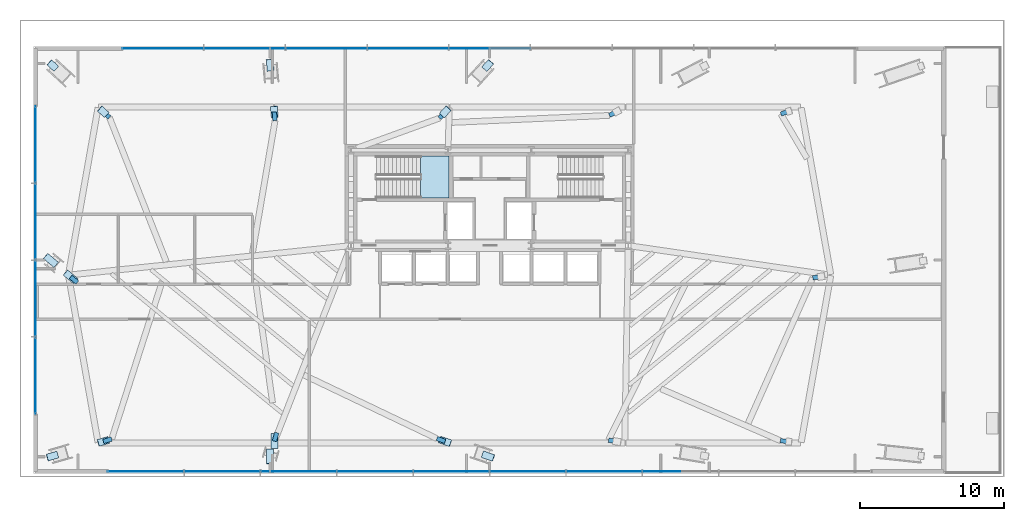
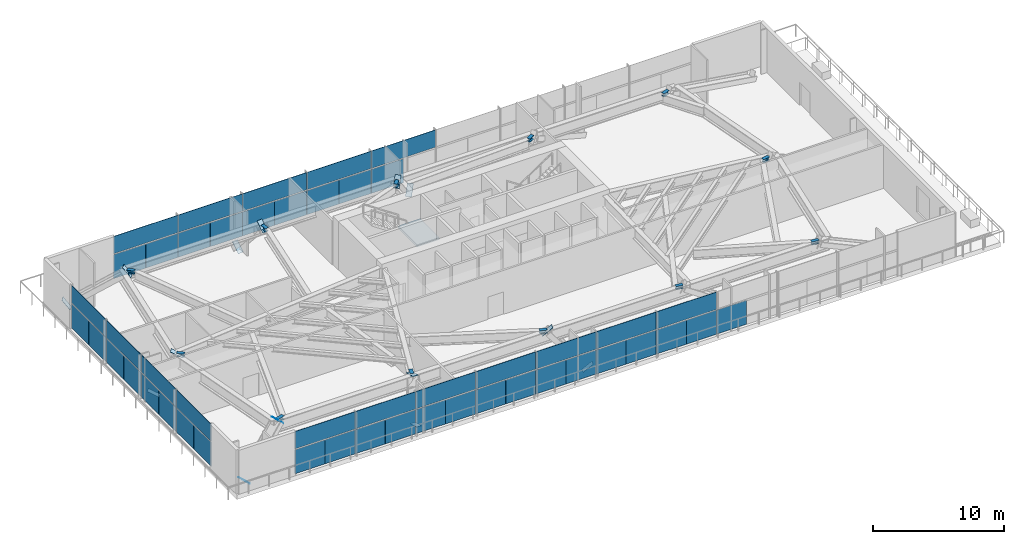
# One storey, part 19 of 29: 62 plates, 12 beams, 1 slab, 4 elements without a shape of their own.
"""IFC4 building model written with IfcOpenShell, lengths in metres."""

from ifc_helpers import new_model, si_unit, direction, frame, origin, origin_2d, place, context, subcontext, project, spatial, polyline, rectangle, i_section, outline, extrude, source, transform, mapped, material, layer, layer_set, material_profile, profile_set, type_object, type_shapes, element, aggregate, save


model = new_model("IFC4")

# Units and contexts
model_context = context("Model", 3, precision=1e-05, world=origin(), true_north=direction((0.0, 1.0)))
body_context = subcontext(model_context, "Body", "Model", "MODEL_VIEW")
ifc_project = project(units=[si_unit("LENGTHUNIT", "METRE"), si_unit("AREAUNIT", "SQUARE_METRE"), si_unit("VOLUMEUNIT", "CUBIC_METRE"), si_unit("PLANEANGLEUNIT", "RADIAN"), si_unit("MASSUNIT", "GRAM", prefix="KILO")], contexts=[model_context])

# Site, building, storey
site_placement = place(None, origin())
site = spatial("IfcSite", under=ifc_project, at=site_placement, CompositionType="ELEMENT")
building_placement = place(site_placement, origin())
building = spatial("IfcBuilding", under=site, at=building_placement, Name="Astriad Promenade Condominiums", CompositionType="ELEMENT")
storey_placement = place(building_placement, frame((0.0, 0.0, 18.5)))
storey = spatial("IfcBuildingStorey", under=building, at=storey_placement, Name="L04", CompositionType="ELEMENT", Elevation=18.5)

# Beams
ifc_material_1 = material(Name="Steel ASTM A992 Grade 50", Category="steel")
ifc_material_profile = material_profile(ifc_material_1, i_section(OverallWidth=0.3046875, OverallDepth=0.307861328125, WebThickness=0.010009765625, FlangeThickness=0.015380859375, FilletRadius=0.01513671875, at=origin_2d()), Name="W12X65")
ifc_profile_set = profile_set([ifc_material_profile], Name="Steel ASTM A992 Grade 50")
beam_type = type_object("IfcBeamType", Name="STEEL TRANSFER SPLICE HEADER W12X65", PredefinedType="LINTEL", material=ifc_profile_set)
shared_shape_1 = source(origin(), body_context, "Body", "SweptSolid", [
    extrude(i_section(OverallWidth=0.3046875, OverallDepth=0.307861328125, WebThickness=0.010009765625, FlangeThickness=0.015380859375, FilletRadius=0.01513671875, at=origin_2d()), origin(), (0.0, 0.0, 1.0), 0.6015625),
])
for number, where, z_axis, x_axis, name in (
    (1, (9.245849609375, 3.835693359375, 3.926025390625), (0.960939885428, 0.27675717984, 0.0), (-0.27675717984, 0.960939885428, 0.0), "Column Transfer Splice Header SPL-PC01-L04"),
    (2, (21.094482421875, 3.86083984375, 3.926025390625), (0.272308287324, 0.962210058488, 0.0), (-0.962210058488, 0.272308287324, 0.0), "Column Transfer Splice Header SPL-PC02-L04"),
    (3, (32.9189453125, 3.839111328125, 3.926025390625), (-0.945553965563, 0.325465356387, 0.0), (-0.325465356387, -0.945553965563, 0.0), "Column Transfer Splice Header SPL-PC03-L04"),
    (4, (44.828125, 3.826171875, 3.926025390625), (-0.986796839194, 0.161962953039, 0.0), (-0.161962953039, -0.986796839194, 0.0), "Column Transfer Splice Header SPL-PC04-L04"),
    (5, (56.7392578125, 3.822021484375, 3.926025390625), (-0.994287639444, 0.106733734357, 0.0), (-0.106733734357, -0.994287639444, 0.0), "Column Transfer Splice Header SPL-PC05-L04"),
    (6, (9.227783203125, 26.677734375, 3.926025390625), (0.737272030032, -0.675595998902, 0.0), (0.675595998902, 0.737272030032, 0.0), "Column Transfer Splice Header SPL-PC06-L04"),
    (7, (32.939453125, 26.672607421875, 3.926025390625), (-0.674529152452, -0.73824821198, 0.0), (0.73824821198, -0.674529152452, 0.0), "Column Transfer Splice Header SPL-PC08-L04"),
    (8, (56.742431640625, 26.705810546875, 3.926025390625), (-0.946095269319, -0.323888470578, 0.0), (0.323888470578, -0.946095269319, 0.0), "Column Transfer Splice Header SPL-PC10-L04"),
    (9, (58.976806640625, 15.2607421875, 3.926025390625), (-0.988479344013, -0.151355827306, 0.0), (0.151355827306, -0.988479344013, 0.0), "Column Transfer Splice Header SPL-PC12-L04"),
):
    element("IfcBeam", number, at=place(storey_placement, frame(where, z_axis=z_axis, x_axis=x_axis)), inside=storey, type_object=beam_type, Name=name, PredefinedType="LINTEL", context=body_context, shape_type="MappedRepresentation", body=[
        mapped(shared_shape_1, transform((0.0, 0.0, 0.0), scale=1.0)),
    ])
shared_shape_2 = source(origin(), body_context, "Body", "SweptSolid", [
    extrude(i_section(OverallWidth=0.3046875, OverallDepth=0.307861328125, WebThickness=0.010009765625, FlangeThickness=0.015380859375, FilletRadius=0.01513671875, at=origin_2d()), origin(), (0.0, 0.0, 1.0), 0.601806640625),
])
for number, where, z_axis, x_axis, name in (
    (10, (44.83642578125, 26.695556640625, 3.926025390625), (-0.886584846165, -0.462566006695, 0.0), (0.462566006695, -0.886584846165, 0.0), "Column Transfer Splice Header SPL-PC09-L04"),
    (11, (6.9833984375, 15.23046875, 3.926025390625), (0.768487277709, -0.639865067026, 0.0), (0.639865067026, 0.768487277709, 0.0), "Column Transfer Splice Header SPL-PC11-L04"),
):
    element("IfcBeam", number, at=place(storey_placement, frame(where, z_axis=z_axis, x_axis=x_axis)), inside=storey, type_object=beam_type, Name=name, PredefinedType="LINTEL", context=body_context, shape_type="MappedRepresentation", body=[
        mapped(shared_shape_2, transform((0.0, 0.0, 0.0), scale=1.0)),
    ])
shared_shape_3 = source(origin(), body_context, "Body", "SweptSolid", [
    extrude(i_section(OverallWidth=0.3046875, OverallDepth=0.307861328125, WebThickness=0.010009765625, FlangeThickness=0.015380859375, FilletRadius=0.01513671875, at=origin_2d()), origin(), (0.0, 0.0, 1.0), 0.601318359375),
])
type_shapes(beam_type, [shared_shape_1, shared_shape_2, shared_shape_3])
beam_placement = place(storey_placement, frame((21.088134765625, 26.652587890625, 3.926025390625), z_axis=(0.088924744442, -0.996038347568, 0.0), x_axis=(0.996038347568, 0.088924744442, 0.0)))
element("IfcBeam", 12, at=beam_placement, inside=storey, type_object=beam_type, Name="Column Transfer Splice Header SPL-PC07-L04", PredefinedType="LINTEL", context=body_context, shape_type="MappedRepresentation", body=[
    mapped(shared_shape_3, transform((0.0, 0.0, 0.0), scale=1.0)),
])

# Stair, slab
ifc_material_2 = material(Name="Concrete C50/60", Category="concrete")
stair_type = type_object("IfcStairType", Name="STR-CORE-1350", PredefinedType="HALF_TURN_STAIR", material=ifc_material_2)
stair_placement = place(storey_placement, origin())
stair = element("IfcStair", 13, at=stair_placement, inside=storey, type_object=stair_type, Name="L04 Enclosed Core Exit Stair ST-1", PredefinedType="HALF_TURN_STAIR")
ifc_layer_1 = layer(ifc_material_2, 0.219970703125)
ifc_layer_set_1 = layer_set([ifc_layer_1], Name="Concrete C50/60")
slab_type = type_object("IfcSlabType", Name="SLB-LANDING-220", PredefinedType="LANDING", material=ifc_layer_set_1)
slab_placement = place(storey_placement, frame((0.0, 0.0, 2.050048828125)))
slab = element("IfcSlab", 14, at=slab_placement, type_object=slab_type, Name="ST-1 landing 1", PredefinedType="LANDING", context=body_context, shape_type="SweptSolid", body=[
    extrude(outline(polyline([(31.22998046875, 20.699951171875), (33.199951171875, 20.699951171875), (33.199951171875, 23.60009765625), (31.22998046875, 23.60009765625), (31.22998046875, 20.699951171875)])), origin(), (0.0, 0.0, 1.0), 0.199951171875),
])
aggregate(stair, [slab])

# Plates
ifc_material_3 = material(Name="Steel ASTM A572 Grade 50", Category="steel")
ifc_layer_2 = layer(ifc_material_3, 0.02490234375)
ifc_layer_set_2 = layer_set([ifc_layer_2], Name="Steel ASTM A572 Grade 50")
plate_type_1 = type_object("IfcPlateType", Name="STEEL HOLLOW SECTION END CAP PLATE 30", PredefinedType="USERDEFINED", material=ifc_layer_set_2)
shared_shape_4 = source(origin(), body_context, "Body", "SweptSolid", [
    extrude(rectangle(XDim=0.477294921875, YDim=1.05126953125, at=origin_2d()), origin(), (0.0, 0.0, 1.0), 0.02490234375),
])
type_shapes(plate_type_1, [shared_shape_4])
for number, where, z_axis, x_axis, name in (
    (15, (5.71728515625, 2.819580078125, 0.146484375), (0.67060414373, 0.193096106922, 0.716242958711), (-0.276701051877, 0.960956048886, 0.0), "Hollow Section End Cap Plate COL-PC01-L04-A"),
    (16, (9.24609375, 3.83544921875, 3.915283203125), (0.67060414373, 0.193096106922, 0.716242958711), (-0.276701051877, 0.960956048886, 0.0), "Hollow Section End Cap Plate COL-PC01-L04-B"),
    (17, (20.79345703125, 2.792724609375, 0.047119140625), (0.073161285972, 0.259634537899, 0.962931634627), (1.0, 0.0, 0.0), "Hollow Section End Cap Plate COL-PC02-L04-A"),
    (18, (21.094482421875, 3.86083984375, 4.009033203125), (0.073161285972, 0.259634537899, 0.962931634627), (1.0, 0.0, 0.0), "Hollow Section End Cap Plate COL-PC02-L04-B"),
    (19, (35.896240234375, 2.815673828125, 0.132568359375), (-0.603706724906, 0.207512722968, 0.76972505488), (-0.32506370853, -0.945692119771, 0.0), "Hollow Section End Cap Plate COL-PC03-L04-A"),
    (20, (32.9189453125, 3.839111328125, 3.928466796875), (-0.603706724906, 0.207512722968, 0.76972505488), (-0.32506370853, -0.945692119771, 0.0), "Hollow Section End Cap Plate COL-PC03-L04-B"),
    (21, (5.737548828125, 29.87548828125, 0.168212890625), (0.579261571979, -0.53073145898, 0.618692289977), (0.675545940634, 0.737317897581, 0.0), "Hollow Section End Cap Plate COL-PC06-L04-A"),
    (22, (9.227783203125, 26.677734375, 3.89599609375), (0.579261571979, -0.53073145898, 0.618692289977), (0.675545940634, 0.737317897581, 0.0), "Hollow Section End Cap Plate COL-PC06-L04-B"),
    (23, (20.80029296875, 29.903564453125, 0.1357421875), (0.057554515012, -0.65002036614, 0.757734123163), (0.99610299989, 0.088197582795, 0.0), "Hollow Section End Cap Plate COL-PC07-L04-A"),
    (24, (21.088134765625, 26.652587890625, 3.92529296875), (0.057554515012, -0.65002036614, 0.757734123163), (0.99610299989, 0.088197582795, 0.0), "Hollow Section End Cap Plate COL-PC07-L04-B"),
    (25, (35.873291015625, 29.881591796875, 0.16162109375), (-0.511527100917, -0.559471822909, 0.652174289894), (0.738022238922, -0.674776388782, 0.0), "Hollow Section End Cap Plate COL-PC08-L04-A"),
    (26, (32.939453125, 26.672607421875, 3.90234375), (-0.511527100917, -0.559471822909, 0.652174289894), (0.738022238922, -0.674776388782, 0.0), "Hollow Section End Cap Plate COL-PC08-L04-B"),
    (27, (5.608642578125, 16.376220703125, 0.08056640625), (0.320696866921, -0.267255208934, 0.908695863776), (0.640195454543, 0.768212067064, 0.0), "Hollow Section End Cap Plate COL-PC11-L04-A"),
    (28, (6.983642578125, 15.23046875, 3.976806640625), (0.320696866921, -0.267255208934, 0.908695863776), (0.640195454543, 0.768212067064, 0.0), "Hollow Section End Cap Plate COL-PC11-L04-B"),
):
    element("IfcPlate", number, at=place(storey_placement, frame(where, z_axis=z_axis, x_axis=x_axis)), inside=storey, type_object=plate_type_1, Name=name, ObjectType="STIFFENER_PLATE", PredefinedType="USERDEFINED", context=body_context, shape_type="MappedRepresentation", body=[
        mapped(shared_shape_4, transform((0.0, 0.0, 0.0), scale=1.0)),
    ])

# Curtain wall, plates
ifc_material_4 = material(Name="Anodised aluminium Black Dark Glass Unitised", Category="aluminium")
curtain_wall_type = type_object("IfcCurtainWallType", Name="CW-POD-DARK", PredefinedType="USERDEFINED", material=ifc_material_4)
curtain_wall_1_placement = place(storey_placement, origin())
curtain_wall_1 = element("IfcCurtainWall", 29, at=curtain_wall_1_placement, inside=storey, type_object=curtain_wall_type, Name="CW-L04-W", ObjectType="UNITISED_CURTAIN_WALL", PredefinedType="USERDEFINED")
ifc_material_5 = material(Name="Dark Tinted Low-E Laminated Glass", Category="glass")
ifc_layer_3 = layer(ifc_material_5, 0.035888671875)
ifc_layer_set_3 = layer_set([ifc_layer_3], Name="Dark Tinted Low-E Laminated Glass")
plate_type_2 = type_object("IfcPlateType", Name="PNL-DARK-GLASS-36", PredefinedType="CURTAIN_PANEL", material=ifc_layer_set_3)
shared_shape_5 = source(origin(), body_context, "Body", "SweptSolid", [
    extrude(rectangle(XDim=2.650390625, YDim=0.035888671875, at=origin_2d()), origin(), (0.0, 0.0, 1.0), 2.22998046875),
])
plate_1_placement = place(storey_placement, frame((4.550048828125, 7.081298828125, 0.080078125), z_axis=(0.0, 0.0, 1.0), x_axis=(0.0, 1.0, 0.0)))
plate_1 = element("IfcPlate", 30, at=plate_1_placement, type_object=plate_type_2, Name="CW-L04-W-PNL-00-VL", PredefinedType="CURTAIN_PANEL", context=body_context, shape_type="MappedRepresentation", body=[
    mapped(shared_shape_5, transform((0.0, 0.0, 0.0), scale=1.0)),
])
plate_2_placement = place(storey_placement, frame((4.550048828125, 9.74365234375, 0.080078125), z_axis=(0.0, 0.0, 1.0), x_axis=(0.0, 1.0, 0.0)))
plate_2 = element("IfcPlate", 31, at=plate_2_placement, type_object=plate_type_2, Name="CW-L04-W-PNL-00-VR", PredefinedType="CURTAIN_PANEL", context=body_context, shape_type="MappedRepresentation", body=[
    mapped(shared_shape_5, transform((0.0, 0.0, 0.0), scale=1.0)),
])
plate_3_placement = place(storey_placement, frame((4.550048828125, 12.40625, 0.080078125), z_axis=(0.0, 0.0, 1.0), x_axis=(0.0, 1.0, 0.0)))
plate_3 = element("IfcPlate", 32, at=plate_3_placement, type_object=plate_type_2, Name="CW-L04-W-PNL-01-VL", PredefinedType="CURTAIN_PANEL", context=body_context, shape_type="MappedRepresentation", body=[
    mapped(shared_shape_5, transform((0.0, 0.0, 0.0), scale=1.0)),
])
plate_4_placement = place(storey_placement, frame((4.550048828125, 15.068603515625, 0.080078125), z_axis=(0.0, 0.0, 1.0), x_axis=(0.0, 1.0, 0.0)))
plate_4 = element("IfcPlate", 33, at=plate_4_placement, type_object=plate_type_2, Name="CW-L04-W-PNL-01-VR", PredefinedType="CURTAIN_PANEL", context=body_context, shape_type="MappedRepresentation", body=[
    mapped(shared_shape_5, transform((0.0, 0.0, 0.0), scale=1.0)),
])
plate_5_placement = place(storey_placement, frame((4.550048828125, 17.731201171875, 0.080078125), z_axis=(0.0, 0.0, 1.0), x_axis=(0.0, 1.0, 0.0)))
plate_5 = element("IfcPlate", 34, at=plate_5_placement, type_object=plate_type_2, Name="CW-L04-W-PNL-02-VL", PredefinedType="CURTAIN_PANEL", context=body_context, shape_type="MappedRepresentation", body=[
    mapped(shared_shape_5, transform((0.0, 0.0, 0.0), scale=1.0)),
])
plate_6_placement = place(storey_placement, frame((4.550048828125, 20.393798828125, 0.080078125), z_axis=(0.0, 0.0, 1.0), x_axis=(0.0, 1.0, 0.0)))
plate_6 = element("IfcPlate", 35, at=plate_6_placement, type_object=plate_type_2, Name="CW-L04-W-PNL-02-VR", PredefinedType="CURTAIN_PANEL", context=body_context, shape_type="MappedRepresentation", body=[
    mapped(shared_shape_5, transform((0.0, 0.0, 0.0), scale=1.0)),
])
plate_7_placement = place(storey_placement, frame((4.550048828125, 23.056396484375, 0.080078125), z_axis=(0.0, 0.0, 1.0), x_axis=(0.0, 1.0, 0.0)))
plate_7 = element("IfcPlate", 36, at=plate_7_placement, type_object=plate_type_2, Name="CW-L04-W-PNL-03-VL", PredefinedType="CURTAIN_PANEL", context=body_context, shape_type="MappedRepresentation", body=[
    mapped(shared_shape_5, transform((0.0, 0.0, 0.0), scale=1.0)),
])
plate_8_placement = place(storey_placement, frame((4.550048828125, 25.71875, 0.080078125), z_axis=(0.0, 0.0, 1.0), x_axis=(0.0, 1.0, 0.0)))
plate_8 = element("IfcPlate", 37, at=plate_8_placement, type_object=plate_type_2, Name="CW-L04-W-PNL-03-VR", PredefinedType="CURTAIN_PANEL", context=body_context, shape_type="MappedRepresentation", body=[
    mapped(shared_shape_5, transform((0.0, 0.0, 0.0), scale=1.0)),
])
shared_shape_6 = source(origin(), body_context, "Body", "SweptSolid", [
    extrude(rectangle(XDim=5.31298828125, YDim=0.035888671875, at=origin_2d()), origin(), (0.0, 0.0, 1.0), 1.610107421875),
])
plate_9_placement = place(storey_placement, frame((4.550048828125, 8.41259765625, 2.39013671875), z_axis=(0.0, 0.0, 1.0), x_axis=(0.0, 1.0, 0.0)))
plate_9 = element("IfcPlate", 38, at=plate_9_placement, type_object=plate_type_2, Name="CW-L04-W-PNL-00-S", PredefinedType="CURTAIN_PANEL", context=body_context, shape_type="MappedRepresentation", body=[
    mapped(shared_shape_6, transform((0.0, 0.0, 0.0), scale=1.0)),
])
plate_10_placement = place(storey_placement, frame((4.550048828125, 13.737548828125, 2.39013671875), z_axis=(0.0, 0.0, 1.0), x_axis=(0.0, 1.0, 0.0)))
plate_10 = element("IfcPlate", 39, at=plate_10_placement, type_object=plate_type_2, Name="CW-L04-W-PNL-01-S", PredefinedType="CURTAIN_PANEL", context=body_context, shape_type="MappedRepresentation", body=[
    mapped(shared_shape_6, transform((0.0, 0.0, 0.0), scale=1.0)),
])
plate_11_placement = place(storey_placement, frame((4.550048828125, 19.0625, 2.39013671875), z_axis=(0.0, 0.0, 1.0), x_axis=(0.0, 1.0, 0.0)))
plate_11 = element("IfcPlate", 40, at=plate_11_placement, type_object=plate_type_2, Name="CW-L04-W-PNL-02-S", PredefinedType="CURTAIN_PANEL", context=body_context, shape_type="MappedRepresentation", body=[
    mapped(shared_shape_6, transform((0.0, 0.0, 0.0), scale=1.0)),
])
plate_12_placement = place(storey_placement, frame((4.550048828125, 24.387451171875, 2.39013671875), z_axis=(0.0, 0.0, 1.0), x_axis=(0.0, 1.0, 0.0)))
plate_12 = element("IfcPlate", 41, at=plate_12_placement, type_object=plate_type_2, Name="CW-L04-W-PNL-03-S", PredefinedType="CURTAIN_PANEL", context=body_context, shape_type="MappedRepresentation", body=[
    mapped(shared_shape_6, transform((0.0, 0.0, 0.0), scale=1.0)),
])
aggregate(curtain_wall_1, [plate_1, plate_2, plate_9, plate_3, plate_4, plate_10, plate_5, plate_6, plate_11, plate_7, plate_8, plate_12])

curtain_wall_2_placement = place(storey_placement, origin())
curtain_wall_2 = element("IfcCurtainWall", 42, at=curtain_wall_2_placement, inside=storey, type_object=curtain_wall_type, Name="CW-L04-N", ObjectType="UNITISED_CURTAIN_WALL", PredefinedType="USERDEFINED")
shared_shape_7 = source(origin(), body_context, "Body", "SweptSolid", [
    extrude(rectangle(XDim=2.81591796875, YDim=0.035888671875, at=origin_2d()), origin(), (0.0, 0.0, 1.0), 2.22998046875),
])
plate_13_placement = place(storey_placement, frame((11.9638671875, 31.050048828125, 0.080078125), z_axis=(0.0, 0.0, 1.0), x_axis=(1.0, 0.0, 0.0)))
plate_13 = element("IfcPlate", 43, at=plate_13_placement, type_object=plate_type_2, Name="CW-L04-N-PNL-00-VL", PredefinedType="CURTAIN_PANEL", context=body_context, shape_type="MappedRepresentation", body=[
    mapped(shared_shape_7, transform((0.0, 0.0, 0.0), scale=1.0)),
])
plate_14_placement = place(storey_placement, frame((14.791748046875, 31.050048828125, 0.080078125), z_axis=(0.0, 0.0, 1.0), x_axis=(1.0, 0.0, 0.0)))
plate_14 = element("IfcPlate", 44, at=plate_14_placement, type_object=plate_type_2, Name="CW-L04-N-PNL-00-VR", PredefinedType="CURTAIN_PANEL", context=body_context, shape_type="MappedRepresentation", body=[
    mapped(shared_shape_7, transform((0.0, 0.0, 0.0), scale=1.0)),
])
plate_15_placement = place(storey_placement, frame((17.619384765625, 31.050048828125, 0.080078125), z_axis=(0.0, 0.0, 1.0), x_axis=(1.0, 0.0, 0.0)))
plate_15 = element("IfcPlate", 45, at=plate_15_placement, type_object=plate_type_2, Name="CW-L04-N-PNL-01-VL", PredefinedType="CURTAIN_PANEL", context=body_context, shape_type="MappedRepresentation", body=[
    mapped(shared_shape_7, transform((0.0, 0.0, 0.0), scale=1.0)),
])
plate_16_placement = place(storey_placement, frame((20.447265625, 31.050048828125, 0.080078125), z_axis=(0.0, 0.0, 1.0), x_axis=(1.0, 0.0, 0.0)))
plate_16 = element("IfcPlate", 46, at=plate_16_placement, type_object=plate_type_2, Name="CW-L04-N-PNL-01-VR", PredefinedType="CURTAIN_PANEL", context=body_context, shape_type="MappedRepresentation", body=[
    mapped(shared_shape_7, transform((0.0, 0.0, 0.0), scale=1.0)),
])
plate_17_placement = place(storey_placement, frame((23.27490234375, 31.050048828125, 0.080078125), z_axis=(0.0, 0.0, 1.0), x_axis=(1.0, 0.0, 0.0)))
plate_17 = element("IfcPlate", 47, at=plate_17_placement, type_object=plate_type_2, Name="CW-L04-N-PNL-02-VL", PredefinedType="CURTAIN_PANEL", context=body_context, shape_type="MappedRepresentation", body=[
    mapped(shared_shape_7, transform((0.0, 0.0, 0.0), scale=1.0)),
])
plate_18_placement = place(storey_placement, frame((26.102783203125, 31.050048828125, 0.080078125), z_axis=(0.0, 0.0, 1.0), x_axis=(1.0, 0.0, 0.0)))
plate_18 = element("IfcPlate", 48, at=plate_18_placement, type_object=plate_type_2, Name="CW-L04-N-PNL-02-VR", PredefinedType="CURTAIN_PANEL", context=body_context, shape_type="MappedRepresentation", body=[
    mapped(shared_shape_7, transform((0.0, 0.0, 0.0), scale=1.0)),
])
plate_19_placement = place(storey_placement, frame((28.9306640625, 31.050048828125, 0.080078125), z_axis=(0.0, 0.0, 1.0), x_axis=(1.0, 0.0, 0.0)))
plate_19 = element("IfcPlate", 49, at=plate_19_placement, type_object=plate_type_2, Name="CW-L04-N-PNL-03-VL", PredefinedType="CURTAIN_PANEL", context=body_context, shape_type="MappedRepresentation", body=[
    mapped(shared_shape_7, transform((0.0, 0.0, 0.0), scale=1.0)),
])
plate_20_placement = place(storey_placement, frame((31.75830078125, 31.050048828125, 0.080078125), z_axis=(0.0, 0.0, 1.0), x_axis=(1.0, 0.0, 0.0)))
plate_20 = element("IfcPlate", 50, at=plate_20_placement, type_object=plate_type_2, Name="CW-L04-N-PNL-03-VR", PredefinedType="CURTAIN_PANEL", context=body_context, shape_type="MappedRepresentation", body=[
    mapped(shared_shape_7, transform((0.0, 0.0, 0.0), scale=1.0)),
])
plate_21_placement = place(storey_placement, frame((34.586181640625, 31.050048828125, 0.080078125), z_axis=(0.0, 0.0, 1.0), x_axis=(1.0, 0.0, 0.0)))
plate_21 = element("IfcPlate", 51, at=plate_21_placement, type_object=plate_type_2, Name="CW-L04-N-PNL-04-VL", PredefinedType="CURTAIN_PANEL", context=body_context, shape_type="MappedRepresentation", body=[
    mapped(shared_shape_7, transform((0.0, 0.0, 0.0), scale=1.0)),
])
shared_shape_8 = source(origin(), body_context, "Body", "SweptSolid", [
    extrude(rectangle(XDim=5.6435546875, YDim=0.035888671875, at=origin_2d()), origin(), (0.0, 0.0, 1.0), 1.610107421875),
])
plate_22_placement = place(storey_placement, frame((13.377685546875, 31.050048828125, 2.39013671875), z_axis=(0.0, 0.0, 1.0), x_axis=(1.0, 0.0, 0.0)))
plate_22 = element("IfcPlate", 52, at=plate_22_placement, type_object=plate_type_2, Name="CW-L04-N-PNL-00-S", PredefinedType="CURTAIN_PANEL", context=body_context, shape_type="MappedRepresentation", body=[
    mapped(shared_shape_8, transform((0.0, 0.0, 0.0), scale=1.0)),
])
plate_23_placement = place(storey_placement, frame((19.033203125, 31.050048828125, 2.39013671875), z_axis=(0.0, 0.0, 1.0), x_axis=(1.0, 0.0, 0.0)))
plate_23 = element("IfcPlate", 53, at=plate_23_placement, type_object=plate_type_2, Name="CW-L04-N-PNL-01-S", PredefinedType="CURTAIN_PANEL", context=body_context, shape_type="MappedRepresentation", body=[
    mapped(shared_shape_8, transform((0.0, 0.0, 0.0), scale=1.0)),
])
plate_24_placement = place(storey_placement, frame((24.68896484375, 31.050048828125, 2.39013671875), z_axis=(0.0, 0.0, 1.0), x_axis=(1.0, 0.0, 0.0)))
plate_24 = element("IfcPlate", 54, at=plate_24_placement, type_object=plate_type_2, Name="CW-L04-N-PNL-02-S", PredefinedType="CURTAIN_PANEL", context=body_context, shape_type="MappedRepresentation", body=[
    mapped(shared_shape_8, transform((0.0, 0.0, 0.0), scale=1.0)),
])
plate_25_placement = place(storey_placement, frame((30.344482421875, 31.050048828125, 2.39013671875), z_axis=(0.0, 0.0, 1.0), x_axis=(1.0, 0.0, 0.0)))
plate_25 = element("IfcPlate", 55, at=plate_25_placement, type_object=plate_type_2, Name="CW-L04-N-PNL-03-S", PredefinedType="CURTAIN_PANEL", context=body_context, shape_type="MappedRepresentation", body=[
    mapped(shared_shape_8, transform((0.0, 0.0, 0.0), scale=1.0)),
])
plate_26_placement = place(storey_placement, frame((36.0, 31.050048828125, 2.39013671875), z_axis=(0.0, 0.0, 1.0), x_axis=(1.0, 0.0, 0.0)))
plate_26 = element("IfcPlate", 56, at=plate_26_placement, type_object=plate_type_2, Name="CW-L04-N-PNL-04-S", PredefinedType="CURTAIN_PANEL", context=body_context, shape_type="MappedRepresentation", body=[
    mapped(shared_shape_8, transform((0.0, 0.0, 0.0), scale=1.0)),
])
aggregate(curtain_wall_2, [plate_13, plate_14, plate_22, plate_15, plate_16, plate_23, plate_17, plate_18, plate_24, plate_19, plate_20, plate_25, plate_21, plate_26])

curtain_wall_3_placement = place(storey_placement, origin())
curtain_wall_3 = element("IfcCurtainWall", 57, at=curtain_wall_3_placement, inside=storey, type_object=curtain_wall_type, Name="CW-L04-S", ObjectType="UNITISED_CURTAIN_WALL", PredefinedType="USERDEFINED")
shared_shape_9 = source(origin(), body_context, "Body", "SweptSolid", [
    extrude(rectangle(XDim=2.633056640625, YDim=0.035888671875, at=origin_2d()), origin(), (0.0, 0.0, 1.0), 2.22998046875),
])
plate_27_placement = place(storey_placement, frame((47.902587890625, 1.75, 0.080078125), z_axis=(0.0, 0.0, 1.0), x_axis=(-1.0, 0.0, 0.0)))
plate_27 = element("IfcPlate", 58, at=plate_27_placement, type_object=plate_type_2, Name="CW-L04-S-PNL-02-VR", PredefinedType="CURTAIN_PANEL", context=body_context, shape_type="MappedRepresentation", body=[
    mapped(shared_shape_9, transform((0.0, 0.0, 0.0), scale=1.0)),
])
plate_28_placement = place(storey_placement, frame((45.257568359375, 1.75, 0.080078125), z_axis=(0.0, 0.0, 1.0), x_axis=(-1.0, 0.0, 0.0)))
plate_28 = element("IfcPlate", 59, at=plate_28_placement, type_object=plate_type_2, Name="CW-L04-S-PNL-03-VL", PredefinedType="CURTAIN_PANEL", context=body_context, shape_type="MappedRepresentation", body=[
    mapped(shared_shape_9, transform((0.0, 0.0, 0.0), scale=1.0)),
])
plate_29_placement = place(storey_placement, frame((42.612548828125, 1.75, 0.080078125), z_axis=(0.0, 0.0, 1.0), x_axis=(-1.0, 0.0, 0.0)))
plate_29 = element("IfcPlate", 60, at=plate_29_placement, type_object=plate_type_2, Name="CW-L04-S-PNL-03-VR", PredefinedType="CURTAIN_PANEL", context=body_context, shape_type="MappedRepresentation", body=[
    mapped(shared_shape_9, transform((0.0, 0.0, 0.0), scale=1.0)),
])
plate_30_placement = place(storey_placement, frame((39.967529296875, 1.75, 0.080078125), z_axis=(0.0, 0.0, 1.0), x_axis=(-1.0, 0.0, 0.0)))
plate_30 = element("IfcPlate", 61, at=plate_30_placement, type_object=plate_type_2, Name="CW-L04-S-PNL-04-VL", PredefinedType="CURTAIN_PANEL", context=body_context, shape_type="MappedRepresentation", body=[
    mapped(shared_shape_9, transform((0.0, 0.0, 0.0), scale=1.0)),
])
plate_31_placement = place(storey_placement, frame((37.322509765625, 1.75, 0.080078125), z_axis=(0.0, 0.0, 1.0), x_axis=(-1.0, 0.0, 0.0)))
plate_31 = element("IfcPlate", 62, at=plate_31_placement, type_object=plate_type_2, Name="CW-L04-S-PNL-04-VR", PredefinedType="CURTAIN_PANEL", context=body_context, shape_type="MappedRepresentation", body=[
    mapped(shared_shape_9, transform((0.0, 0.0, 0.0), scale=1.0)),
])
plate_32_placement = place(storey_placement, frame((34.677490234375, 1.75, 0.080078125), z_axis=(0.0, 0.0, 1.0), x_axis=(-1.0, 0.0, 0.0)))
plate_32 = element("IfcPlate", 63, at=plate_32_placement, type_object=plate_type_2, Name="CW-L04-S-PNL-05-VL", PredefinedType="CURTAIN_PANEL", context=body_context, shape_type="MappedRepresentation", body=[
    mapped(shared_shape_9, transform((0.0, 0.0, 0.0), scale=1.0)),
])
plate_33_placement = place(storey_placement, frame((32.032470703125, 1.75, 0.080078125), z_axis=(0.0, 0.0, 1.0), x_axis=(-1.0, 0.0, 0.0)))
plate_33 = element("IfcPlate", 64, at=plate_33_placement, type_object=plate_type_2, Name="CW-L04-S-PNL-05-VR", PredefinedType="CURTAIN_PANEL", context=body_context, shape_type="MappedRepresentation", body=[
    mapped(shared_shape_9, transform((0.0, 0.0, 0.0), scale=1.0)),
])
plate_34_placement = place(storey_placement, frame((29.387451171875, 1.75, 0.080078125), z_axis=(0.0, 0.0, 1.0), x_axis=(-1.0, 0.0, 0.0)))
plate_34 = element("IfcPlate", 65, at=plate_34_placement, type_object=plate_type_2, Name="CW-L04-S-PNL-06-VL", PredefinedType="CURTAIN_PANEL", context=body_context, shape_type="MappedRepresentation", body=[
    mapped(shared_shape_9, transform((0.0, 0.0, 0.0), scale=1.0)),
])
plate_35_placement = place(storey_placement, frame((26.742431640625, 1.75, 0.080078125), z_axis=(0.0, 0.0, 1.0), x_axis=(-1.0, 0.0, 0.0)))
plate_35 = element("IfcPlate", 66, at=plate_35_placement, type_object=plate_type_2, Name="CW-L04-S-PNL-06-VR", PredefinedType="CURTAIN_PANEL", context=body_context, shape_type="MappedRepresentation", body=[
    mapped(shared_shape_9, transform((0.0, 0.0, 0.0), scale=1.0)),
])
plate_36_placement = place(storey_placement, frame((24.097412109375, 1.75, 0.080078125), z_axis=(0.0, 0.0, 1.0), x_axis=(-1.0, 0.0, 0.0)))
plate_36 = element("IfcPlate", 67, at=plate_36_placement, type_object=plate_type_2, Name="CW-L04-S-PNL-07-VL", PredefinedType="CURTAIN_PANEL", context=body_context, shape_type="MappedRepresentation", body=[
    mapped(shared_shape_9, transform((0.0, 0.0, 0.0), scale=1.0)),
])
plate_37_placement = place(storey_placement, frame((21.452392578125, 1.75, 0.080078125), z_axis=(0.0, 0.0, 1.0), x_axis=(-1.0, 0.0, 0.0)))
plate_37 = element("IfcPlate", 68, at=plate_37_placement, type_object=plate_type_2, Name="CW-L04-S-PNL-07-VR", PredefinedType="CURTAIN_PANEL", context=body_context, shape_type="MappedRepresentation", body=[
    mapped(shared_shape_9, transform((0.0, 0.0, 0.0), scale=1.0)),
])
plate_38_placement = place(storey_placement, frame((18.8076171875, 1.75, 0.080078125), z_axis=(0.0, 0.0, 1.0), x_axis=(-1.0, 0.0, 0.0)))
plate_38 = element("IfcPlate", 69, at=plate_38_placement, type_object=plate_type_2, Name="CW-L04-S-PNL-08-VL", PredefinedType="CURTAIN_PANEL", context=body_context, shape_type="MappedRepresentation", body=[
    mapped(shared_shape_9, transform((0.0, 0.0, 0.0), scale=1.0)),
])
plate_39_placement = place(storey_placement, frame((16.16259765625, 1.75, 0.080078125), z_axis=(0.0, 0.0, 1.0), x_axis=(-1.0, 0.0, 0.0)))
plate_39 = element("IfcPlate", 70, at=plate_39_placement, type_object=plate_type_2, Name="CW-L04-S-PNL-08-VR", PredefinedType="CURTAIN_PANEL", context=body_context, shape_type="MappedRepresentation", body=[
    mapped(shared_shape_9, transform((0.0, 0.0, 0.0), scale=1.0)),
])
plate_40_placement = place(storey_placement, frame((13.517578125, 1.75, 0.080078125), z_axis=(0.0, 0.0, 1.0), x_axis=(-1.0, 0.0, 0.0)))
plate_40 = element("IfcPlate", 71, at=plate_40_placement, type_object=plate_type_2, Name="CW-L04-S-PNL-09-VL", PredefinedType="CURTAIN_PANEL", context=body_context, shape_type="MappedRepresentation", body=[
    mapped(shared_shape_9, transform((0.0, 0.0, 0.0), scale=1.0)),
])
plate_41_placement = place(storey_placement, frame((10.87255859375, 1.75, 0.080078125), z_axis=(0.0, 0.0, 1.0), x_axis=(-1.0, 0.0, 0.0)))
plate_41 = element("IfcPlate", 72, at=plate_41_placement, type_object=plate_type_2, Name="CW-L04-S-PNL-09-VR", PredefinedType="CURTAIN_PANEL", context=body_context, shape_type="MappedRepresentation", body=[
    mapped(shared_shape_9, transform((0.0, 0.0, 0.0), scale=1.0)),
])
shared_shape_10 = source(origin(), body_context, "Body", "SweptSolid", [
    extrude(rectangle(XDim=5.278076171875, YDim=0.035888671875, at=origin_2d()), origin(), (0.0, 0.0, 1.0), 1.610107421875),
])
type_shapes(plate_type_2, [shared_shape_5, shared_shape_6, shared_shape_7, shared_shape_8, shared_shape_9, shared_shape_10])
plate_42_placement = place(storey_placement, frame((43.93505859375, 1.75, 2.39013671875), z_axis=(0.0, 0.0, 1.0), x_axis=(-1.0, 0.0, 0.0)))
plate_42 = element("IfcPlate", 73, at=plate_42_placement, type_object=plate_type_2, Name="CW-L04-S-PNL-03-S", PredefinedType="CURTAIN_PANEL", context=body_context, shape_type="MappedRepresentation", body=[
    mapped(shared_shape_10, transform((0.0, 0.0, 0.0), scale=1.0)),
])
plate_43_placement = place(storey_placement, frame((38.64501953125, 1.75, 2.39013671875), z_axis=(0.0, 0.0, 1.0), x_axis=(-1.0, 0.0, 0.0)))
plate_43 = element("IfcPlate", 74, at=plate_43_placement, type_object=plate_type_2, Name="CW-L04-S-PNL-04-S", PredefinedType="CURTAIN_PANEL", context=body_context, shape_type="MappedRepresentation", body=[
    mapped(shared_shape_10, transform((0.0, 0.0, 0.0), scale=1.0)),
])
plate_44_placement = place(storey_placement, frame((33.35498046875, 1.75, 2.39013671875), z_axis=(0.0, 0.0, 1.0), x_axis=(-1.0, 0.0, 0.0)))
plate_44 = element("IfcPlate", 75, at=plate_44_placement, type_object=plate_type_2, Name="CW-L04-S-PNL-05-S", PredefinedType="CURTAIN_PANEL", context=body_context, shape_type="MappedRepresentation", body=[
    mapped(shared_shape_10, transform((0.0, 0.0, 0.0), scale=1.0)),
])
plate_45_placement = place(storey_placement, frame((28.06494140625, 1.75, 2.39013671875), z_axis=(0.0, 0.0, 1.0), x_axis=(-1.0, 0.0, 0.0)))
plate_45 = element("IfcPlate", 76, at=plate_45_placement, type_object=plate_type_2, Name="CW-L04-S-PNL-06-S", PredefinedType="CURTAIN_PANEL", context=body_context, shape_type="MappedRepresentation", body=[
    mapped(shared_shape_10, transform((0.0, 0.0, 0.0), scale=1.0)),
])
plate_46_placement = place(storey_placement, frame((22.77490234375, 1.75, 2.39013671875), z_axis=(0.0, 0.0, 1.0), x_axis=(-1.0, 0.0, 0.0)))
plate_46 = element("IfcPlate", 77, at=plate_46_placement, type_object=plate_type_2, Name="CW-L04-S-PNL-07-S", PredefinedType="CURTAIN_PANEL", context=body_context, shape_type="MappedRepresentation", body=[
    mapped(shared_shape_10, transform((0.0, 0.0, 0.0), scale=1.0)),
])
plate_47_placement = place(storey_placement, frame((17.485107421875, 1.75, 2.39013671875), z_axis=(0.0, 0.0, 1.0), x_axis=(-1.0, 0.0, 0.0)))
plate_47 = element("IfcPlate", 78, at=plate_47_placement, type_object=plate_type_2, Name="CW-L04-S-PNL-08-S", PredefinedType="CURTAIN_PANEL", context=body_context, shape_type="MappedRepresentation", body=[
    mapped(shared_shape_10, transform((0.0, 0.0, 0.0), scale=1.0)),
])
plate_48_placement = place(storey_placement, frame((12.195068359375, 1.75, 2.39013671875), z_axis=(0.0, 0.0, 1.0), x_axis=(-1.0, 0.0, 0.0)))
plate_48 = element("IfcPlate", 79, at=plate_48_placement, type_object=plate_type_2, Name="CW-L04-S-PNL-09-S", PredefinedType="CURTAIN_PANEL", context=body_context, shape_type="MappedRepresentation", body=[
    mapped(shared_shape_10, transform((0.0, 0.0, 0.0), scale=1.0)),
])
aggregate(curtain_wall_3, [plate_27, plate_28, plate_29, plate_42, plate_30, plate_31, plate_43, plate_32, plate_33, plate_44, plate_34, plate_35, plate_45, plate_36, plate_37, plate_46, plate_38, plate_39, plate_47, plate_40, plate_41, plate_48])

save(model, "model.ifc")
